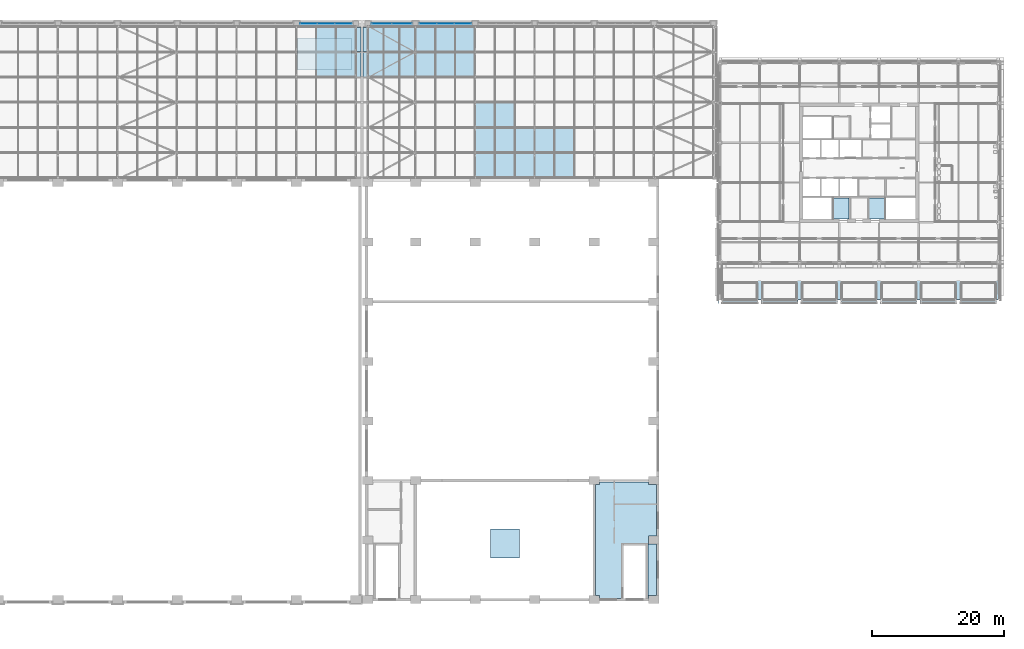
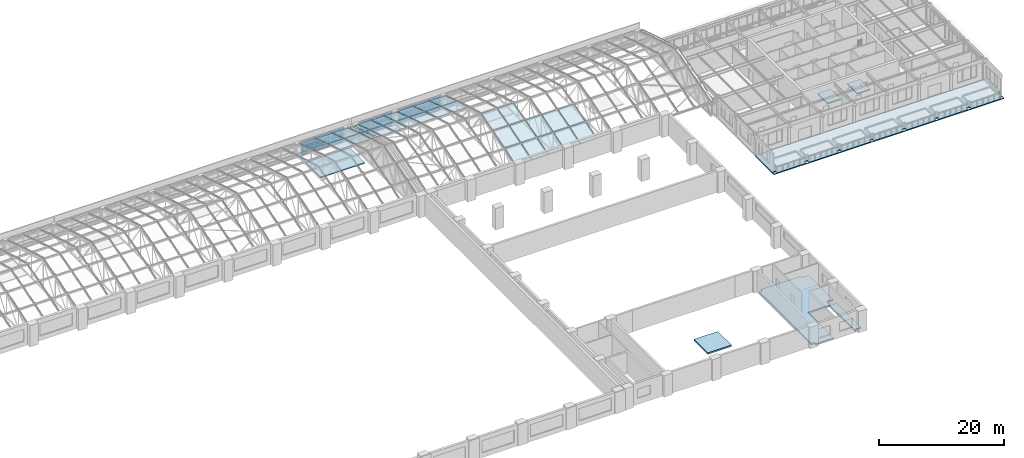
# One storey, part 51 of 82: 48 plates, 6 slabs, 5 elements without a shape of their own.
"""IFC4 building model written with IfcOpenShell, lengths in metres."""

from ifc_helpers import new_model, si_unit, direction, frame, origin, origin_2d, place, context, subcontext, project, spatial, polyline, rectangle, outline, extrude, material, layer, layer_set, type_object, element, aggregate, save


model = new_model("IFC4")

# Units and contexts
model_context = context("Model", 3, precision=1e-05, world=origin(), true_north=direction((0.0, 1.0)))
body_context = subcontext(model_context, "Body", "Model", "MODEL_VIEW")
ifc_project = project(units=[si_unit("LENGTHUNIT", "METRE"), si_unit("AREAUNIT", "SQUARE_METRE"), si_unit("VOLUMEUNIT", "CUBIC_METRE"), si_unit("PLANEANGLEUNIT", "RADIAN"), si_unit("MASSUNIT", "GRAM", prefix="KILO")], contexts=[model_context])

# Site, building, storey
site_placement = place(None, origin())
site = spatial("IfcSite", under=ifc_project, at=site_placement, CompositionType="ELEMENT")
building_placement = place(site_placement, origin())
building = spatial("IfcBuilding", under=site, at=building_placement, Name="Aravalli Gate Trade Fair Centre", CompositionType="ELEMENT")
storey_placement = place(building_placement, frame((0.0, 0.0, 19.199951171875)))
storey = spatial("IfcBuildingStorey", under=building, at=storey_placement, Name="L04", CompositionType="ELEMENT", Elevation=19.199951171875)

# Slabs
ifc_material_1 = material(Name="Concrete M40", Category="concrete")
ifc_layer_1 = layer(ifc_material_1, 0.199951171875)
ifc_layer_set_1 = layer_set([ifc_layer_1], Name="Concrete M40")
slab_type_1 = type_object("IfcSlabType", Name="Concourse core cover slab 200", PredefinedType="ROOF", material=ifc_layer_set_1)
slab_1_placement = place(storey_placement, origin())
element("IfcSlab", 1, at=slab_1_placement, inside=storey, type_object=slab_type_1, Name="Core cover slab XD", PredefinedType="ROOF", context=body_context, shape_type="SweptSolid", body=[
    extrude(outline(polyline([(96.14990234375, 126.0), (104.35009765625, 126.0), (104.35009765625, 130.800048828125), (96.14990234375, 130.800048828125), (96.14990234375, 126.0)])), origin(), (0.0, 0.0, 1.0), 0.199951171875),
])
ifc_layer_2 = layer(ifc_material_1, 0.300048828125)
ifc_layer_set_2 = layer_set([ifc_layer_2], Name="Concrete M40")
slab_type_2 = type_object("IfcSlabType", Name="Congress floor slab RC 300", PredefinedType="FLOOR", material=ifc_layer_set_2)
slab_2_placement = place(storey_placement, frame((0.0, 0.0, -0.300048828125)))
element("IfcSlab", 2, at=slab_2_placement, inside=storey, type_object=slab_type_2, Name="Stage wing floor L04 E", PredefinedType="FLOOR", context=body_context, shape_type="SweptSolid", body=[
    extrude(outline(polyline([(149.199951171875, 46.60009765625), (149.199951171875, 46.199951171875), (149.10009765625, 46.199951171875), (149.10009765625, 54.5), (145.10009765625, 54.5), (145.10009765625, 46.199951171875), (141.800048828125, 46.199951171875), (141.800048828125, 46.60009765625), (141.199951171875, 46.60009765625), (141.199951171875, 63.39990234375), (141.800048828125, 63.39990234375), (141.800048828125, 63.800048828125), (149.199951171875, 63.800048828125), (149.199951171875, 63.39990234375), (150.39990234375, 63.39990234375), (150.39990234375, 55.60009765625), (149.199951171875, 55.60009765625), (149.199951171875, 54.39990234375), (150.39990234375, 54.39990234375), (150.39990234375, 46.60009765625), (149.199951171875, 46.60009765625)])), origin(), (0.0, 0.0, 1.0), 0.300048828125),
])
ifc_layer_3 = layer(ifc_material_1, 0.300048828125)
ifc_layer_set_3 = layer_set([ifc_layer_3], Name="Concrete M40")
slab_type_3 = type_object("IfcSlabType", Name="Congress lift shaft roof slab RC 300", PredefinedType="ROOF", material=ifc_layer_set_3)
slab_3_placement = place(storey_placement, origin())
element("IfcSlab", 3, at=slab_3_placement, inside=storey, type_object=slab_type_3, Name="Goods lift shaft roof", PredefinedType="ROOF", context=body_context, shape_type="SweptSolid", body=[
    extrude(outline(polyline([(125.300048828125, 52.300048828125), (129.699951171875, 52.300048828125), (129.699951171875, 56.699951171875), (125.300048828125, 56.699951171875), (125.300048828125, 52.300048828125)])), origin(), (0.0, 0.0, 1.0), 0.300048828125),
])

# Curtain wall, plates
ifc_material_2 = material(Name="Aluminium and glass", Category="aluminium")
curtain_wall_type_1 = type_object("IfcCurtainWallType", Name="Curtain wall 3000 module", PredefinedType="NOTDEFINED", material=ifc_material_2)
curtain_wall_1_placement = place(storey_placement, origin())
curtain_wall_1 = element("IfcCurtainWall", 4, at=curtain_wall_1_placement, inside=storey, type_object=curtain_wall_type_1, Name="Curtain wall north bay 11 L04", PredefinedType="NOTDEFINED")
ifc_material_3 = material(Name="Glass, double glazed", Category="glass")
ifc_layer_4 = layer(ifc_material_3, 0.028076171875)
ifc_layer_set_4 = layer_set([ifc_layer_4], Name="Glass, double glazed")
plate_type_1 = type_object("IfcPlateType", Name="Curtain wall panel, double glazed 28", PredefinedType="CURTAIN_PANEL", material=ifc_layer_set_4)
plate_1_placement = place(storey_placement, frame((97.881591796875, 133.0, 0.06005859375), z_axis=(0.0, 0.0, 1.0), x_axis=(1.0, 0.0, 0.0)))
plate_1 = element("IfcPlate", 5, at=plate_1_placement, type_object=plate_type_1, Name="CW1 panel 1.1", PredefinedType="CURTAIN_PANEL", context=body_context, shape_type="SweptSolid", body=[
    extrude(rectangle(XDim=2.543212890625, YDim=0.028076171875, at=origin_2d()), origin(), (0.0, 0.0, 1.0), 1.260009765625),
])
plate_2_placement = place(storey_placement, frame((97.881591796875, 133.0, 1.3798828125), z_axis=(0.0, 0.0, 1.0), x_axis=(1.0, 0.0, 0.0)))
plate_2 = element("IfcPlate", 6, at=plate_2_placement, type_object=plate_type_1, Name="CW1 panel 1.2", PredefinedType="CURTAIN_PANEL", context=body_context, shape_type="SweptSolid", body=[
    extrude(rectangle(XDim=2.543212890625, YDim=0.028076171875, at=origin_2d()), origin(), (0.0, 0.0, 1.0), 1.260009765625),
])
plate_3_placement = place(storey_placement, frame((100.5, 133.0, 0.06005859375), z_axis=(0.0, 0.0, 1.0), x_axis=(1.0, 0.0, 0.0)))
plate_3 = element("IfcPlate", 7, at=plate_3_placement, type_object=plate_type_1, Name="CW1 panel 2.1", PredefinedType="CURTAIN_PANEL", context=body_context, shape_type="SweptSolid", body=[
    extrude(rectangle(XDim=2.5732421875, YDim=0.028076171875, at=origin_2d()), origin(), (0.0, 0.0, 1.0), 1.260009765625),
])
plate_4_placement = place(storey_placement, frame((100.5, 133.0, 1.3798828125), z_axis=(0.0, 0.0, 1.0), x_axis=(1.0, 0.0, 0.0)))
plate_4 = element("IfcPlate", 8, at=plate_4_placement, type_object=plate_type_1, Name="CW1 panel 2.2", PredefinedType="CURTAIN_PANEL", context=body_context, shape_type="SweptSolid", body=[
    extrude(rectangle(XDim=2.5732421875, YDim=0.028076171875, at=origin_2d()), origin(), (0.0, 0.0, 1.0), 1.260009765625),
])
plate_5_placement = place(storey_placement, frame((103.118408203125, 133.0, 0.06005859375), z_axis=(0.0, 0.0, 1.0), x_axis=(1.0, 0.0, 0.0)))
plate_5 = element("IfcPlate", 9, at=plate_5_placement, type_object=plate_type_1, Name="CW1 panel 3.1", PredefinedType="CURTAIN_PANEL", context=body_context, shape_type="SweptSolid", body=[
    extrude(rectangle(XDim=2.543212890625, YDim=0.028076171875, at=origin_2d()), origin(), (0.0, 0.0, 1.0), 1.260009765625),
])
plate_6_placement = place(storey_placement, frame((103.118408203125, 133.0, 1.3798828125), z_axis=(0.0, 0.0, 1.0), x_axis=(1.0, 0.0, 0.0)))
plate_6 = element("IfcPlate", 10, at=plate_6_placement, type_object=plate_type_1, Name="CW1 panel 3.2", PredefinedType="CURTAIN_PANEL", context=body_context, shape_type="SweptSolid", body=[
    extrude(rectangle(XDim=2.543212890625, YDim=0.028076171875, at=origin_2d()), origin(), (0.0, 0.0, 1.0), 1.260009765625),
])
aggregate(curtain_wall_1, [plate_1, plate_2, plate_3, plate_4, plate_5, plate_6])

curtain_wall_2_placement = place(storey_placement, origin())
curtain_wall_2 = element("IfcCurtainWall", 11, at=curtain_wall_2_placement, inside=storey, type_object=curtain_wall_type_1, Name="Curtain wall north bay 13 L04", PredefinedType="NOTDEFINED")
plate_7_placement = place(storey_placement, frame((108.889892578125, 133.0, 0.06005859375), z_axis=(0.0, 0.0, 1.0), x_axis=(1.0, 0.0, 0.0)))
plate_7 = element("IfcPlate", 12, at=plate_7_placement, type_object=plate_type_1, Name="CW1 panel 1.1", PredefinedType="CURTAIN_PANEL", context=body_context, shape_type="SweptSolid", body=[
    extrude(rectangle(XDim=2.9599609375, YDim=0.028076171875, at=origin_2d()), origin(), (0.0, 0.0, 1.0), 1.260009765625),
])
plate_8_placement = place(storey_placement, frame((108.889892578125, 133.0, 1.3798828125), z_axis=(0.0, 0.0, 1.0), x_axis=(1.0, 0.0, 0.0)))
plate_8 = element("IfcPlate", 13, at=plate_8_placement, type_object=plate_type_1, Name="CW1 panel 1.2", PredefinedType="CURTAIN_PANEL", context=body_context, shape_type="SweptSolid", body=[
    extrude(rectangle(XDim=2.9599609375, YDim=0.028076171875, at=origin_2d()), origin(), (0.0, 0.0, 1.0), 1.260009765625),
])
plate_9_placement = place(storey_placement, frame((111.909912109375, 133.0, 0.06005859375), z_axis=(0.0, 0.0, 1.0), x_axis=(1.0, 0.0, 0.0)))
plate_9 = element("IfcPlate", 14, at=plate_9_placement, type_object=plate_type_1, Name="CW1 panel 2.1", PredefinedType="CURTAIN_PANEL", context=body_context, shape_type="SweptSolid", body=[
    extrude(rectangle(XDim=2.9599609375, YDim=0.028076171875, at=origin_2d()), origin(), (0.0, 0.0, 1.0), 1.260009765625),
])
plate_10_placement = place(storey_placement, frame((111.909912109375, 133.0, 1.3798828125), z_axis=(0.0, 0.0, 1.0), x_axis=(1.0, 0.0, 0.0)))
plate_10 = element("IfcPlate", 15, at=plate_10_placement, type_object=plate_type_1, Name="CW1 panel 2.2", PredefinedType="CURTAIN_PANEL", context=body_context, shape_type="SweptSolid", body=[
    extrude(rectangle(XDim=2.9599609375, YDim=0.028076171875, at=origin_2d()), origin(), (0.0, 0.0, 1.0), 1.260009765625),
])
aggregate(curtain_wall_2, [plate_7, plate_8, plate_9, plate_10])

curtain_wall_3_placement = place(storey_placement, origin())
curtain_wall_3 = element("IfcCurtainWall", 16, at=curtain_wall_3_placement, inside=storey, type_object=curtain_wall_type_1, Name="Curtain wall north bay 14 L04", PredefinedType="NOTDEFINED")
plate_11_placement = place(storey_placement, frame((115.881591796875, 133.0, 0.06005859375), z_axis=(0.0, 0.0, 1.0), x_axis=(1.0, 0.0, 0.0)))
plate_11 = element("IfcPlate", 17, at=plate_11_placement, type_object=plate_type_1, Name="CW1 panel 1.1", PredefinedType="CURTAIN_PANEL", context=body_context, shape_type="SweptSolid", body=[
    extrude(rectangle(XDim=2.543212890625, YDim=0.028076171875, at=origin_2d()), origin(), (0.0, 0.0, 1.0), 1.260009765625),
])
plate_12_placement = place(storey_placement, frame((115.881591796875, 133.0, 1.3798828125), z_axis=(0.0, 0.0, 1.0), x_axis=(1.0, 0.0, 0.0)))
plate_12 = element("IfcPlate", 18, at=plate_12_placement, type_object=plate_type_1, Name="CW1 panel 1.2", PredefinedType="CURTAIN_PANEL", context=body_context, shape_type="SweptSolid", body=[
    extrude(rectangle(XDim=2.543212890625, YDim=0.028076171875, at=origin_2d()), origin(), (0.0, 0.0, 1.0), 1.260009765625),
])
plate_13_placement = place(storey_placement, frame((118.5, 133.0, 0.06005859375), z_axis=(0.0, 0.0, 1.0), x_axis=(1.0, 0.0, 0.0)))
plate_13 = element("IfcPlate", 19, at=plate_13_placement, type_object=plate_type_1, Name="CW1 panel 2.1", PredefinedType="CURTAIN_PANEL", context=body_context, shape_type="SweptSolid", body=[
    extrude(rectangle(XDim=2.5732421875, YDim=0.028076171875, at=origin_2d()), origin(), (0.0, 0.0, 1.0), 1.260009765625),
])
plate_14_placement = place(storey_placement, frame((118.5, 133.0, 1.3798828125), z_axis=(0.0, 0.0, 1.0), x_axis=(1.0, 0.0, 0.0)))
plate_14 = element("IfcPlate", 20, at=plate_14_placement, type_object=plate_type_1, Name="CW1 panel 2.2", PredefinedType="CURTAIN_PANEL", context=body_context, shape_type="SweptSolid", body=[
    extrude(rectangle(XDim=2.5732421875, YDim=0.028076171875, at=origin_2d()), origin(), (0.0, 0.0, 1.0), 1.260009765625),
])
plate_15_placement = place(storey_placement, frame((121.118408203125, 133.0, 0.06005859375), z_axis=(0.0, 0.0, 1.0), x_axis=(1.0, 0.0, 0.0)))
plate_15 = element("IfcPlate", 21, at=plate_15_placement, type_object=plate_type_1, Name="CW1 panel 3.1", PredefinedType="CURTAIN_PANEL", context=body_context, shape_type="SweptSolid", body=[
    extrude(rectangle(XDim=2.543212890625, YDim=0.028076171875, at=origin_2d()), origin(), (0.0, 0.0, 1.0), 1.260009765625),
])
plate_16_placement = place(storey_placement, frame((121.118408203125, 133.0, 1.3798828125), z_axis=(0.0, 0.0, 1.0), x_axis=(1.0, 0.0, 0.0)))
plate_16 = element("IfcPlate", 22, at=plate_16_placement, type_object=plate_type_1, Name="CW1 panel 3.2", PredefinedType="CURTAIN_PANEL", context=body_context, shape_type="SweptSolid", body=[
    extrude(rectangle(XDim=2.543212890625, YDim=0.028076171875, at=origin_2d()), origin(), (0.0, 0.0, 1.0), 1.260009765625),
])
aggregate(curtain_wall_3, [plate_11, plate_12, plate_13, plate_14, plate_15, plate_16])

curtain_wall_type_2 = type_object("IfcCurtainWallType", Name="Vault curtain wall, sloped glazing", PredefinedType="NOTDEFINED", material=ifc_material_2)
curtain_wall_4_placement = place(storey_placement, origin())
curtain_wall_4 = element("IfcCurtainWall", 23, at=curtain_wall_4_placement, inside=storey, type_object=curtain_wall_type_2, Name="Vault curtain wall w", PredefinedType="NOTDEFINED")
ifc_material_4 = material(Name="Glass, laminated double glazed", Category="glass")
ifc_layer_5 = layer(ifc_material_4, 0.028076171875)
ifc_layer_set_5 = layer_set([ifc_layer_5], Name="Glass, laminated double glazed")
plate_type_2 = type_object("IfcPlateType", Name="Vault glazing panel, facet class 1", PredefinedType="CURTAIN_PANEL", material=ifc_layer_set_5)
plate_17_placement = place(storey_placement, frame((99.030029296875, 128.77001953125, 4.0771484375), z_axis=(0.0, 0.312518472278, 0.949911682466), x_axis=(1.0, 0.0, 0.0)))
plate_17 = element("IfcPlate", 24, at=plate_17_placement, type_object=plate_type_2, Name="Vault glazing w29.6", PredefinedType="CURTAIN_PANEL", context=body_context, shape_type="SweptSolid", body=[
    extrude(outline(polyline([(0.0, 0.0), (2.93994140625, 0.0), (2.93994140625, 3.852897250273449), (0.0, 3.852897250273449), (0.0, 0.0)])), origin(), (0.0, 0.0, -1.0), 0.028076171875),
])
plate_18_placement = place(storey_placement, frame((102.030029296875, 128.77001953125, 4.0771484375), z_axis=(0.0, 0.312518472278, 0.949911682466), x_axis=(1.0, 0.0, 0.0)))
plate_18 = element("IfcPlate", 25, at=plate_18_placement, type_object=plate_type_2, Name="Vault glazing w30.6", PredefinedType="CURTAIN_PANEL", context=body_context, shape_type="SweptSolid", body=[
    extrude(outline(polyline([(0.0, 0.0), (2.93994140625, 0.0), (2.93994140625, 3.852897250273449), (0.0, 3.852897250273449), (0.0, 0.0)])), origin(), (0.0, 0.0, -1.0), 0.028076171875),
])
plate_19_placement = place(storey_placement, frame((105.030029296875, 128.77001953125, 4.0771484375), z_axis=(0.0, 0.312518472278, 0.949911682466), x_axis=(1.0, 0.0, 0.0)))
plate_19 = element("IfcPlate", 26, at=plate_19_placement, type_object=plate_type_2, Name="Vault glazing w31.6", PredefinedType="CURTAIN_PANEL", context=body_context, shape_type="SweptSolid", body=[
    extrude(outline(polyline([(0.0, 0.0), (0.7099609375, 0.0), (0.7099609375, 3.852897250273449), (0.0, 3.852897250273449), (0.0, 0.0)])), origin(), (0.0, 0.0, -1.0), 0.028076171875),
])

curtain_wall_5_placement = place(storey_placement, origin())
curtain_wall_5 = element("IfcCurtainWall", 27, at=curtain_wall_5_placement, inside=storey, type_object=curtain_wall_type_2, Name="Vault curtain wall e", PredefinedType="NOTDEFINED")
plate_20_placement = place(storey_placement, frame((106.06005859375, 128.77001953125, 4.0771484375), z_axis=(0.0, 0.312518472278, 0.949911682466), x_axis=(1.0, 0.0, 0.0)))
plate_20 = element("IfcPlate", 28, at=plate_20_placement, type_object=plate_type_2, Name="Vault glazing e1.6", PredefinedType="CURTAIN_PANEL", context=body_context, shape_type="SweptSolid", body=[
    extrude(outline(polyline([(0.0, 0.0), (0.7099609375, 0.0), (0.7099609375, 3.852897250273449), (0.0, 3.852897250273449), (0.0, 0.0)])), origin(), (0.0, 0.0, -1.0), 0.028076171875),
])
plate_21_placement = place(storey_placement, frame((106.830078125, 128.77001953125, 4.0771484375), z_axis=(0.0, 0.312518472278, 0.949911682466), x_axis=(1.0, 0.0, 0.0)))
plate_21 = element("IfcPlate", 29, at=plate_21_placement, type_object=plate_type_2, Name="Vault glazing e2.6", PredefinedType="CURTAIN_PANEL", context=body_context, shape_type="SweptSolid", body=[
    extrude(outline(polyline([(0.0, 0.0), (2.33984375, 0.0), (2.33984375, 3.8528972502734495), (0.0, 3.8528972502734495), (0.0, 0.0)])), origin(), (0.0, 0.0, -1.0), 0.028076171875),
])
plate_22_placement = place(storey_placement, frame((109.22998046875, 128.77001953125, 4.0771484375), z_axis=(0.0, 0.312518472278, 0.949911682466), x_axis=(1.0, 0.0, 0.0)))
plate_22 = element("IfcPlate", 30, at=plate_22_placement, type_object=plate_type_2, Name="Vault glazing e3.6", PredefinedType="CURTAIN_PANEL", context=body_context, shape_type="SweptSolid", body=[
    extrude(outline(polyline([(0.0, 0.0), (2.340087890625, 0.0), (2.340087890625, 3.852897250273449), (0.0, 3.852897250273449), (0.0, 0.0)])), origin(), (0.0, 0.0, -1.0), 0.028076171875),
])
plate_23_placement = place(storey_placement, frame((111.6298828125, 128.77001953125, 4.0771484375), z_axis=(0.0, 0.312518472278, 0.949911682466), x_axis=(1.0, 0.0, 0.0)))
plate_23 = element("IfcPlate", 31, at=plate_23_placement, type_object=plate_type_2, Name="Vault glazing e4.6", PredefinedType="CURTAIN_PANEL", context=body_context, shape_type="SweptSolid", body=[
    extrude(outline(polyline([(0.0, 0.0), (2.340087890625, 0.0), (2.340087890625, 3.852897250273449), (0.0, 3.852897250273449), (0.0, 0.0)])), origin(), (0.0, 0.0, -1.0), 0.028076171875),
])
plate_24_placement = place(storey_placement, frame((114.030029296875, 128.77001953125, 4.0771484375), z_axis=(0.0, 0.312518472278, 0.949911682466), x_axis=(1.0, 0.0, 0.0)))
plate_24 = element("IfcPlate", 32, at=plate_24_placement, type_object=plate_type_2, Name="Vault glazing e5.6", PredefinedType="CURTAIN_PANEL", context=body_context, shape_type="SweptSolid", body=[
    extrude(outline(polyline([(0.0, 0.0), (2.93994140625, 0.0), (2.93994140625, 3.852897250273449), (0.0, 3.852897250273449), (0.0, 0.0)])), origin(), (0.0, 0.0, -1.0), 0.028076171875),
])
plate_25_placement = place(storey_placement, frame((117.030029296875, 128.77001953125, 4.0771484375), z_axis=(0.0, 0.312518472278, 0.949911682466), x_axis=(1.0, 0.0, 0.0)))
plate_25 = element("IfcPlate", 33, at=plate_25_placement, type_object=plate_type_2, Name="Vault glazing e6.6", PredefinedType="CURTAIN_PANEL", context=body_context, shape_type="SweptSolid", body=[
    extrude(outline(polyline([(0.0, 0.0), (2.93994140625, 0.0), (2.93994140625, 3.852897250273449), (0.0, 3.852897250273449), (0.0, 0.0)])), origin(), (0.0, 0.0, -1.0), 0.028076171875),
])
plate_26_placement = place(storey_placement, frame((120.030029296875, 128.77001953125, 4.0771484375), z_axis=(0.0, 0.312518472278, 0.949911682466), x_axis=(1.0, 0.0, 0.0)))
plate_26 = element("IfcPlate", 34, at=plate_26_placement, type_object=plate_type_2, Name="Vault glazing e7.6", PredefinedType="CURTAIN_PANEL", context=body_context, shape_type="SweptSolid", body=[
    extrude(outline(polyline([(0.0, 0.0), (2.93994140625, 0.0), (2.93994140625, 3.852897250273449), (0.0, 3.852897250273449), (0.0, 0.0)])), origin(), (0.0, 0.0, -1.0), 0.028076171875),
])
plate_27_placement = place(storey_placement, frame((123.030029296875, 109.77001953125, 2.873046875), z_axis=(0.0, -0.312518472278, 0.949911682466), x_axis=(1.0, 0.0, 0.0)))
plate_27 = element("IfcPlate", 35, at=plate_27_placement, type_object=plate_type_2, Name="Vault glazing e8.1", PredefinedType="CURTAIN_PANEL", context=body_context, shape_type="SweptSolid", body=[
    extrude(outline(polyline([(0.0, 0.0), (2.93994140625, 0.0), (2.93994140625, 3.852897250273449), (0.0, 3.852897250273449), (0.0, 0.0)])), origin(), (0.0, 0.0, -1.0), 0.028076171875),
])
plate_28_placement = place(storey_placement, frame((126.030029296875, 109.77001953125, 2.873046875), z_axis=(0.0, -0.312518472278, 0.949911682466), x_axis=(1.0, 0.0, 0.0)))
plate_28 = element("IfcPlate", 36, at=plate_28_placement, type_object=plate_type_2, Name="Vault glazing e9.1", PredefinedType="CURTAIN_PANEL", context=body_context, shape_type="SweptSolid", body=[
    extrude(outline(polyline([(0.0, 0.0), (2.93994140625, 0.0), (2.93994140625, 3.852897250273449), (0.0, 3.852897250273449), (0.0, 0.0)])), origin(), (0.0, 0.0, -1.0), 0.028076171875),
])
plate_29_placement = place(storey_placement, frame((129.030029296875, 109.77001953125, 2.873046875), z_axis=(0.0, -0.312518472278, 0.949911682466), x_axis=(1.0, 0.0, 0.0)))
plate_29 = element("IfcPlate", 37, at=plate_29_placement, type_object=plate_type_2, Name="Vault glazing e10.1", PredefinedType="CURTAIN_PANEL", context=body_context, shape_type="SweptSolid", body=[
    extrude(outline(polyline([(0.0, 0.0), (2.93994140625, 0.0), (2.93994140625, 3.852897250273449), (0.0, 3.852897250273449), (0.0, 0.0)])), origin(), (0.0, 0.0, -1.0), 0.028076171875),
])
plate_30_placement = place(storey_placement, frame((132.030029296875, 109.77001953125, 2.873046875), z_axis=(0.0, -0.312518472278, 0.949911682466), x_axis=(1.0, 0.0, 0.0)))
plate_30 = element("IfcPlate", 38, at=plate_30_placement, type_object=plate_type_2, Name="Vault glazing e11.1", PredefinedType="CURTAIN_PANEL", context=body_context, shape_type="SweptSolid", body=[
    extrude(outline(polyline([(0.0, 0.0), (2.93994140625, 0.0), (2.93994140625, 3.852897250273449), (0.0, 3.852897250273449), (0.0, 0.0)])), origin(), (0.0, 0.0, -1.0), 0.028076171875),
])
plate_31_placement = place(storey_placement, frame((135.030029296875, 109.77001953125, 2.873046875), z_axis=(0.0, -0.312518472278, 0.949911682466), x_axis=(1.0, 0.0, 0.0)))
plate_31 = element("IfcPlate", 39, at=plate_31_placement, type_object=plate_type_2, Name="Vault glazing e12.1", PredefinedType="CURTAIN_PANEL", context=body_context, shape_type="SweptSolid", body=[
    extrude(outline(polyline([(0.0, 0.0), (2.93994140625, 0.0), (2.93994140625, 3.852897250273449), (0.0, 3.852897250273449), (0.0, 0.0)])), origin(), (0.0, 0.0, -1.0), 0.028076171875),
])

# Plate
ifc_layer_6 = layer(ifc_material_4, 0.028076171875)
ifc_layer_set_6 = layer_set([ifc_layer_6], Name="Glass, laminated double glazed")
plate_type_3 = type_object("IfcPlateType", Name="Vault glazing panel, facet class 2", PredefinedType="CURTAIN_PANEL", material=ifc_layer_set_6)
plate_32_placement = place(storey_placement, frame((99.030029296875, 124.969970703125, 5.228759765625), z_axis=(0.0, 0.289613973345, 0.957143534922), x_axis=(1.0, 0.0, 0.0)))
plate_32 = element("IfcPlate", 40, at=plate_32_placement, type_object=plate_type_3, Name="Vault glazing w29.5", PredefinedType="CURTAIN_PANEL", context=body_context, shape_type="SweptSolid", body=[
    extrude(outline(polyline([(0.0, 0.0), (2.93994140625, 0.0), (2.93994140625, 3.8237860632595906), (0.0, 3.8237860632595906), (0.0, 0.0)])), origin(), (0.0, 0.0, -1.0), 0.028076171875),
])

plate_33_placement = place(storey_placement, frame((102.030029296875, 124.969970703125, 5.228759765625), z_axis=(0.0, 0.289613973345, 0.957143534922), x_axis=(1.0, 0.0, 0.0)))
plate_33 = element("IfcPlate", 41, at=plate_33_placement, type_object=plate_type_3, Name="Vault glazing w30.5", PredefinedType="CURTAIN_PANEL", context=body_context, shape_type="SweptSolid", body=[
    extrude(outline(polyline([(0.0, 0.0), (2.93994140625, 0.0), (2.93994140625, 3.8237860632595906), (0.0, 3.8237860632595906), (0.0, 0.0)])), origin(), (0.0, 0.0, -1.0), 0.028076171875),
])

plate_34_placement = place(storey_placement, frame((105.030029296875, 124.969970703125, 5.228759765625), z_axis=(0.0, 0.289613973345, 0.957143534922), x_axis=(1.0, 0.0, 0.0)))
plate_34 = element("IfcPlate", 42, at=plate_34_placement, type_object=plate_type_3, Name="Vault glazing w31.5", PredefinedType="CURTAIN_PANEL", context=body_context, shape_type="SweptSolid", body=[
    extrude(outline(polyline([(0.0, 0.0), (0.7099609375, 0.0), (0.7099609375, 3.823786063259591), (0.0, 3.823786063259591), (0.0, 0.0)])), origin(), (0.0, 0.0, -1.0), 0.028076171875),
])

aggregate(curtain_wall_4, [plate_32, plate_17, plate_33, plate_18, plate_34, plate_19])

plate_35_placement = place(storey_placement, frame((106.06005859375, 124.969970703125, 5.228759765625), z_axis=(0.0, 0.289613973345, 0.957143534922), x_axis=(1.0, 0.0, 0.0)))
plate_35 = element("IfcPlate", 43, at=plate_35_placement, type_object=plate_type_3, Name="Vault glazing e1.5", PredefinedType="CURTAIN_PANEL", context=body_context, shape_type="SweptSolid", body=[
    extrude(outline(polyline([(0.0, 0.0), (0.7099609375, 0.0), (0.7099609375, 3.823786063259591), (0.0, 3.823786063259591), (0.0, 0.0)])), origin(), (0.0, 0.0, -1.0), 0.028076171875),
])

plate_36_placement = place(storey_placement, frame((106.830078125, 124.969970703125, 5.228759765625), z_axis=(0.0, 0.289613973345, 0.957143534922), x_axis=(1.0, 0.0, 0.0)))
plate_36 = element("IfcPlate", 44, at=plate_36_placement, type_object=plate_type_3, Name="Vault glazing e2.5", PredefinedType="CURTAIN_PANEL", context=body_context, shape_type="SweptSolid", body=[
    extrude(outline(polyline([(0.0, 0.0), (2.33984375, 0.0), (2.33984375, 3.8237860632595906), (0.0, 3.8237860632595906), (0.0, 0.0)])), origin(), (0.0, 0.0, -1.0), 0.028076171875),
])

plate_37_placement = place(storey_placement, frame((109.22998046875, 124.969970703125, 5.228759765625), z_axis=(0.0, 0.289613973345, 0.957143534922), x_axis=(1.0, 0.0, 0.0)))
plate_37 = element("IfcPlate", 45, at=plate_37_placement, type_object=plate_type_3, Name="Vault glazing e3.5", PredefinedType="CURTAIN_PANEL", context=body_context, shape_type="SweptSolid", body=[
    extrude(outline(polyline([(0.0, 0.0), (2.340087890625, 0.0), (2.340087890625, 3.823786063259591), (0.0, 3.823786063259591), (0.0, 0.0)])), origin(), (0.0, 0.0, -1.0), 0.028076171875),
])

plate_38_placement = place(storey_placement, frame((111.6298828125, 124.969970703125, 5.228759765625), z_axis=(0.0, 0.289613973345, 0.957143534922), x_axis=(1.0, 0.0, 0.0)))
plate_38 = element("IfcPlate", 46, at=plate_38_placement, type_object=plate_type_3, Name="Vault glazing e4.5", PredefinedType="CURTAIN_PANEL", context=body_context, shape_type="SweptSolid", body=[
    extrude(outline(polyline([(0.0, 0.0), (2.340087890625, 0.0), (2.340087890625, 3.823786063259591), (0.0, 3.823786063259591), (0.0, 0.0)])), origin(), (0.0, 0.0, -1.0), 0.028076171875),
])

plate_39_placement = place(storey_placement, frame((114.030029296875, 124.969970703125, 5.228759765625), z_axis=(0.0, 0.289613973345, 0.957143534922), x_axis=(1.0, 0.0, 0.0)))
plate_39 = element("IfcPlate", 47, at=plate_39_placement, type_object=plate_type_3, Name="Vault glazing e5.5", PredefinedType="CURTAIN_PANEL", context=body_context, shape_type="SweptSolid", body=[
    extrude(outline(polyline([(0.0, 0.0), (2.93994140625, 0.0), (2.93994140625, 3.8237860632595906), (0.0, 3.8237860632595906), (0.0, 0.0)])), origin(), (0.0, 0.0, -1.0), 0.028076171875),
])

plate_40_placement = place(storey_placement, frame((117.030029296875, 124.969970703125, 5.228759765625), z_axis=(0.0, 0.289613973345, 0.957143534922), x_axis=(1.0, 0.0, 0.0)))
plate_40 = element("IfcPlate", 48, at=plate_40_placement, type_object=plate_type_3, Name="Vault glazing e6.5", PredefinedType="CURTAIN_PANEL", context=body_context, shape_type="SweptSolid", body=[
    extrude(outline(polyline([(0.0, 0.0), (2.93994140625, 0.0), (2.93994140625, 3.8237860632595906), (0.0, 3.8237860632595906), (0.0, 0.0)])), origin(), (0.0, 0.0, -1.0), 0.028076171875),
])

plate_41_placement = place(storey_placement, frame((120.030029296875, 124.969970703125, 5.228759765625), z_axis=(0.0, 0.289613973345, 0.957143534922), x_axis=(1.0, 0.0, 0.0)))
plate_41 = element("IfcPlate", 49, at=plate_41_placement, type_object=plate_type_3, Name="Vault glazing e7.5", PredefinedType="CURTAIN_PANEL", context=body_context, shape_type="SweptSolid", body=[
    extrude(outline(polyline([(0.0, 0.0), (2.93994140625, 0.0), (2.93994140625, 3.8237860632595906), (0.0, 3.8237860632595906), (0.0, 0.0)])), origin(), (0.0, 0.0, -1.0), 0.028076171875),
])

plate_42_placement = place(storey_placement, frame((123.030029296875, 113.570068359375, 4.121337890625), z_axis=(0.0, -0.289613973345, 0.957143534922), x_axis=(1.0, 0.0, 0.0)))
plate_42 = element("IfcPlate", 50, at=plate_42_placement, type_object=plate_type_3, Name="Vault glazing e8.2", PredefinedType="CURTAIN_PANEL", context=body_context, shape_type="SweptSolid", body=[
    extrude(outline(polyline([(0.0, 0.0), (2.93994140625, 0.0), (2.93994140625, 3.8237860632595906), (0.0, 3.8237860632595906), (0.0, 0.0)])), origin(), (0.0, 0.0, -1.0), 0.028076171875),
])

plate_43_placement = place(storey_placement, frame((126.030029296875, 113.570068359375, 4.121337890625), z_axis=(0.0, -0.289613973345, 0.957143534922), x_axis=(1.0, 0.0, 0.0)))
plate_43 = element("IfcPlate", 51, at=plate_43_placement, type_object=plate_type_3, Name="Vault glazing e9.2", PredefinedType="CURTAIN_PANEL", context=body_context, shape_type="SweptSolid", body=[
    extrude(outline(polyline([(0.0, 0.0), (2.93994140625, 0.0), (2.93994140625, 3.8237860632595906), (0.0, 3.8237860632595906), (0.0, 0.0)])), origin(), (0.0, 0.0, -1.0), 0.028076171875),
])

plate_44_placement = place(storey_placement, frame((129.030029296875, 113.570068359375, 4.121337890625), z_axis=(0.0, -0.289613973345, 0.957143534922), x_axis=(1.0, 0.0, 0.0)))
plate_44 = element("IfcPlate", 52, at=plate_44_placement, type_object=plate_type_3, Name="Vault glazing e10.2", PredefinedType="CURTAIN_PANEL", context=body_context, shape_type="SweptSolid", body=[
    extrude(outline(polyline([(0.0, 0.0), (2.93994140625, 0.0), (2.93994140625, 3.8237860632595906), (0.0, 3.8237860632595906), (0.0, 0.0)])), origin(), (0.0, 0.0, -1.0), 0.028076171875),
])

plate_45_placement = place(storey_placement, frame((132.030029296875, 113.570068359375, 4.121337890625), z_axis=(0.0, -0.289613973345, 0.957143534922), x_axis=(1.0, 0.0, 0.0)))
plate_45 = element("IfcPlate", 53, at=plate_45_placement, type_object=plate_type_3, Name="Vault glazing e11.2", PredefinedType="CURTAIN_PANEL", context=body_context, shape_type="SweptSolid", body=[
    extrude(outline(polyline([(0.0, 0.0), (2.93994140625, 0.0), (2.93994140625, 3.8237860632595906), (0.0, 3.8237860632595906), (0.0, 0.0)])), origin(), (0.0, 0.0, -1.0), 0.028076171875),
])

plate_46_placement = place(storey_placement, frame((135.030029296875, 113.570068359375, 4.121337890625), z_axis=(0.0, -0.289613973345, 0.957143534922), x_axis=(1.0, 0.0, 0.0)))
plate_46 = element("IfcPlate", 54, at=plate_46_placement, type_object=plate_type_3, Name="Vault glazing e12.2", PredefinedType="CURTAIN_PANEL", context=body_context, shape_type="SweptSolid", body=[
    extrude(outline(polyline([(0.0, 0.0), (2.93994140625, 0.0), (2.93994140625, 3.8237860632595906), (0.0, 3.8237860632595906), (0.0, 0.0)])), origin(), (0.0, 0.0, -1.0), 0.028076171875),
])

ifc_layer_7 = layer(ifc_material_4, 0.028076171875)
ifc_layer_set_7 = layer_set([ifc_layer_7], Name="Glass, laminated double glazed")
plate_type_4 = type_object("IfcPlateType", Name="Vault glazing panel, facet class 3", PredefinedType="CURTAIN_PANEL", material=ifc_layer_set_7)
plate_47_placement = place(storey_placement, frame((123.030029296875, 117.3701171875, 5.269287109375), z_axis=(0.0, -0.266380180859, 0.96386804037), x_axis=(1.0, 0.0, 0.0)))
plate_47 = element("IfcPlate", 55, at=plate_47_placement, type_object=plate_type_4, Name="Vault glazing e8.3", PredefinedType="CURTAIN_PANEL", context=body_context, shape_type="SweptSolid", body=[
    extrude(outline(polyline([(0.0, 0.0), (2.93994140625, 0.0), (2.93994140625, 3.7971091021670778), (0.0, 3.7971091021670778), (0.0, 0.0)])), origin(), (0.0, 0.0, -1.0), 0.028076171875),
])

plate_48_placement = place(storey_placement, frame((126.030029296875, 117.3701171875, 5.269287109375), z_axis=(0.0, -0.266380180859, 0.96386804037), x_axis=(1.0, 0.0, 0.0)))
plate_48 = element("IfcPlate", 56, at=plate_48_placement, type_object=plate_type_4, Name="Vault glazing e9.3", PredefinedType="CURTAIN_PANEL", context=body_context, shape_type="SweptSolid", body=[
    extrude(outline(polyline([(0.0, 0.0), (2.93994140625, 0.0), (2.93994140625, 3.7971091021670778), (0.0, 3.7971091021670778), (0.0, 0.0)])), origin(), (0.0, 0.0, -1.0), 0.028076171875),
])

aggregate(curtain_wall_5, [plate_35, plate_20, plate_36, plate_21, plate_37, plate_22, plate_38, plate_23, plate_39, plate_24, plate_40, plate_25, plate_41, plate_26, plate_27, plate_42, plate_47, plate_28, plate_43, plate_48, plate_29, plate_44, plate_30, plate_45, plate_31, plate_46])

# Slabs
ifc_material_5 = material(Name="Concrete M50", Category="concrete")
ifc_layer_8 = layer(ifc_material_5, 0.199951171875)
ifc_layer_set_8 = layer_set([ifc_layer_8], Name="Concrete M50")
slab_type_4 = type_object("IfcSlabType", Name="Wing core floor slab 200", PredefinedType="FLOOR", material=ifc_layer_set_8)
slab_4_placement = place(storey_placement, frame((0.0, 0.0, -0.199951171875)))
element("IfcSlab", 57, at=slab_4_placement, inside=storey, type_object=slab_type_4, Name="Stair landing slab S2 L04", PredefinedType="FLOOR", context=body_context, shape_type="SweptSolid", body=[
    extrude(outline(polyline([(179.5, 103.5), (179.5, 106.699951171875), (177.050048828125, 106.699951171875), (177.050048828125, 103.5), (179.5, 103.5)])), origin(), (0.0, 0.0, 1.0), 0.199951171875),
])
slab_5_placement = place(storey_placement, frame((0.0, 0.0, -0.199951171875)))
element("IfcSlab", 58, at=slab_5_placement, inside=storey, type_object=slab_type_4, Name="Stair landing slab S1 L04", PredefinedType="FLOOR", context=body_context, shape_type="SweptSolid", body=[
    extrude(outline(polyline([(184.949951171875, 103.5), (184.949951171875, 106.699951171875), (182.5, 106.699951171875), (182.5, 103.5), (184.949951171875, 103.5)])), origin(), (0.0, 0.0, 1.0), 0.199951171875),
])
ifc_layer_9 = layer(ifc_material_5, 0.199951171875)
ifc_layer_set_9 = layer_set([ifc_layer_9], Name="Concrete M50")
slab_type_5 = type_object("IfcSlabType", Name="Wing terrace slab 200", PredefinedType="ROOF", material=ifc_layer_set_9)
slab_6_placement = place(storey_placement, frame((0.0, 0.0, -0.199951171875)))
element("IfcSlab", 59, at=slab_6_placement, inside=storey, type_object=slab_type_5, Name="Wing terrace slab L04", PredefinedType="ROOF", context=body_context, shape_type="SweptSolid", body=[
    extrude(outline(polyline([(159.695068359375, 90.695068359375), (159.695068359375, 96.695068359375), (202.304931640625, 96.695068359375), (202.304931640625, 90.695068359375), (159.695068359375, 90.695068359375)]), holes=[polyline([(160.27490234375, 90.72509765625), (160.27490234375, 91.27490234375), (159.72509765625, 91.27490234375), (159.72509765625, 90.72509765625), (160.27490234375, 90.72509765625)]), polyline([(166.27490234375, 90.72509765625), (166.27490234375, 91.27490234375), (165.72509765625, 91.27490234375), (165.72509765625, 90.72509765625), (166.27490234375, 90.72509765625)]), polyline([(172.27490234375, 90.72509765625), (172.27490234375, 91.27490234375), (171.72509765625, 91.27490234375), (171.72509765625, 90.72509765625), (172.27490234375, 90.72509765625)]), polyline([(178.27490234375, 90.72509765625), (178.27490234375, 91.27490234375), (177.72509765625, 91.27490234375), (177.72509765625, 90.72509765625), (178.27490234375, 90.72509765625)]), polyline([(184.27490234375, 90.72509765625), (184.27490234375, 91.27490234375), (183.72509765625, 91.27490234375), (183.72509765625, 90.72509765625), (184.27490234375, 90.72509765625)]), polyline([(190.27490234375, 90.72509765625), (190.27490234375, 91.27490234375), (189.72509765625, 91.27490234375), (189.72509765625, 90.72509765625), (190.27490234375, 90.72509765625)]), polyline([(196.27490234375, 90.72509765625), (196.27490234375, 91.27490234375), (195.72509765625, 91.27490234375), (195.72509765625, 90.72509765625), (196.27490234375, 90.72509765625)]), polyline([(202.27490234375, 90.72509765625), (202.27490234375, 91.27490234375), (201.72509765625, 91.27490234375), (201.72509765625, 90.72509765625), (202.27490234375, 90.72509765625)])]), origin(), (0.0, 0.0, 1.0), 0.199951171875),
])

save(model, "model.ifc")
